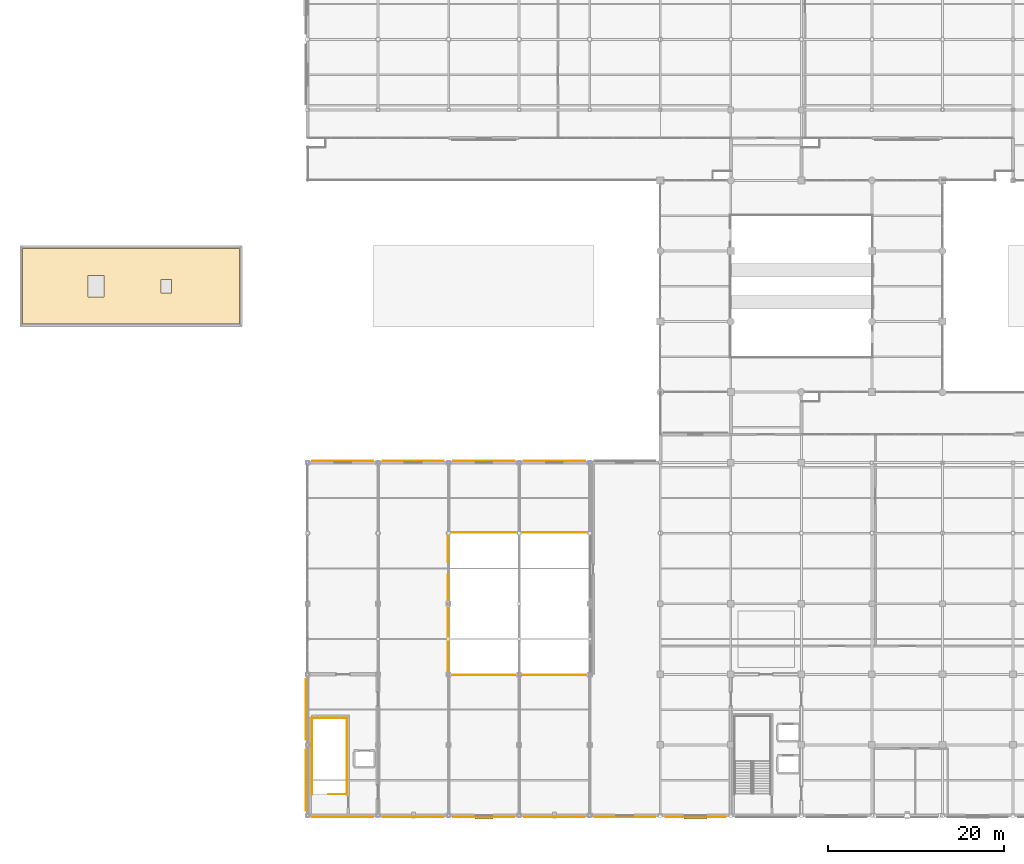
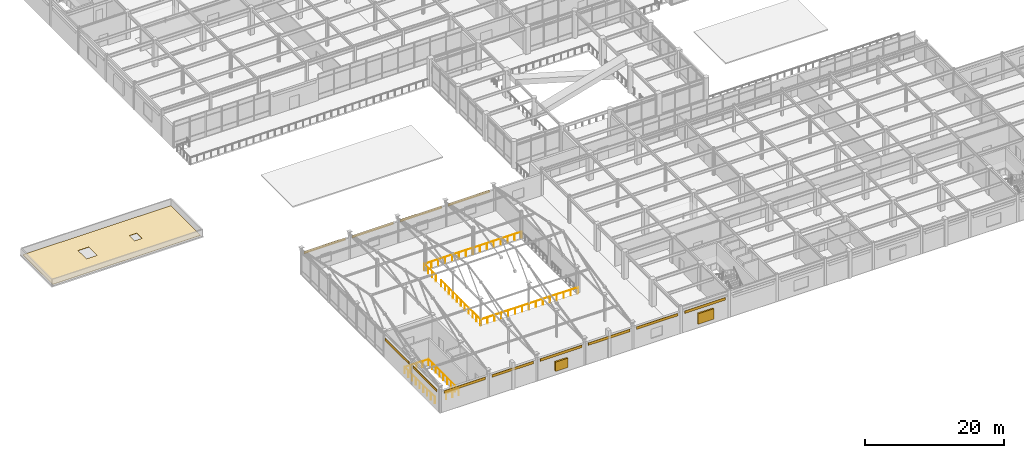
# One storey, part 105 of 117: 13 coverings, 8 railings, 2 shading devices.
"""IFC4 building model written with IfcOpenShell, lengths in metres."""

from ifc_helpers import new_model, si_unit, direction, frame, origin, origin_2d, place, context, subcontext, project, spatial, polyline, rectangle, circle, outline, extrude, material, layer, layer_set, type_object, element, save


model = new_model("IFC4")

# Units and contexts
model_context = context("Model", 3, precision=1e-05, world=origin(), true_north=direction((0.0, 1.0)))
body_context = subcontext(model_context, "Body", "Model", "MODEL_VIEW")
ifc_project = project(units=[si_unit("LENGTHUNIT", "METRE"), si_unit("AREAUNIT", "SQUARE_METRE"), si_unit("VOLUMEUNIT", "CUBIC_METRE"), si_unit("PLANEANGLEUNIT", "RADIAN"), si_unit("MASSUNIT", "GRAM", prefix="KILO")], contexts=[model_context])

# Site, building, storey
site_placement = place(None, origin())
site = spatial("IfcSite", under=ifc_project, at=site_placement, CompositionType="ELEMENT")
building_placement = place(site_placement, origin())
building = spatial("IfcBuilding", under=site, at=building_placement, Name="Solmirada Galleria", CompositionType="ELEMENT")
storey_placement = place(building_placement, frame((0.0, 0.0, 5.60009765625)))
storey = spatial("IfcBuildingStorey", under=building, at=storey_placement, Name="L01", CompositionType="ELEMENT", Elevation=5.60009765625)

# Coverings
ifc_material_1 = material(Name="Limestone cladding panels", Category="masonry")
ifc_layer_1 = layer(ifc_material_1, 0.044921875)
ifc_layer_set_1 = layer_set([ifc_layer_1], Name="Limestone cladding panels")
covering_type_1 = type_object("IfcCoveringType", Name="COV-CLAD-LIME", PredefinedType="CLADDING", material=ifc_layer_set_1)
covering_1_placement = place(storey_placement, frame((84.0, -0.1923828125, 3.2900390625), z_axis=(0.0, 0.0, 1.0), x_axis=(-1.0, 0.0, 0.0)))
element("IfcCovering", 1, at=covering_1_placement, inside=storey, type_object=covering_type_1, Name="Postmodern facade cladding L01-110", PredefinedType="CLADDING", context=body_context, shape_type="SweptSolid", body=[
    extrude(rectangle(XDim=6.7939453125, YDim=0.044921875, at=origin_2d()), origin(), (0.0, 0.0, 1.0), 0.4599609375),
])
covering_2_placement = place(storey_placement, frame((76.0, -0.1923828125, 3.2900390625), z_axis=(0.0, 0.0, 1.0), x_axis=(-1.0, 0.0, 0.0)))
element("IfcCovering", 2, at=covering_2_placement, inside=storey, type_object=covering_type_1, Name="Postmodern facade cladding L01-111", PredefinedType="CLADDING", context=body_context, shape_type="SweptSolid", body=[
    extrude(rectangle(XDim=6.844482421875, YDim=0.044921875, at=origin_2d()), origin(), (0.0, 0.0, 1.0), 0.4599609375),
])
for number, where, z_axis, x_axis, name in (
    (3, (68.0, -0.1923828125, 3.2900390625), (0.0, 0.0, 1.0), (-1.0, 0.0, 0.0), "Postmodern facade cladding L01-112"),
    (4, (60.0, -0.1923828125, 3.2900390625), (0.0, 0.0, 1.0), (-1.0, 0.0, 0.0), "Postmodern facade cladding L01-113"),
    (5, (52.0, -0.1923828125, 3.2900390625), (0.0, 0.0, 1.0), (-1.0, 0.0, 0.0), "Postmodern facade cladding L01-114"),
    (6, (44.0, -0.1923828125, 3.2900390625), (0.0, 0.0, 1.0), (-1.0, 0.0, 0.0), "Postmodern facade cladding L01-115"),
    (7, (39.8076171875, 4.0, 3.2900390625), (0.0, 0.0, 1.0), (0.0, 1.0, 0.0), "Postmodern facade cladding L01-116"),
    (8, (39.8076171875, 12.0, 3.2900390625), (0.0, 0.0, 1.0), (0.0, 1.0, 0.0), "Postmodern facade cladding L01-117"),
):
    element("IfcCovering", number, at=place(storey_placement, frame(where, z_axis=z_axis, x_axis=x_axis)), inside=storey, type_object=covering_type_1, Name=name, PredefinedType="CLADDING", context=body_context, shape_type="SweptSolid", body=[
        extrude(rectangle(XDim=6.89501953125, YDim=0.044921875, at=origin_2d()), origin(), (0.0, 0.0, 1.0), 0.4599609375),
    ])
covering_3_placement = place(storey_placement, frame((44.0, 40.1923828125, 3.2900390625), z_axis=(0.0, 0.0, 1.0), x_axis=(1.0, 0.0, 0.0)))
element("IfcCovering", 9, at=covering_3_placement, inside=storey, type_object=covering_type_1, Name="Postmodern facade cladding L01-118", PredefinedType="CLADDING", context=body_context, shape_type="SweptSolid", body=[
    extrude(rectangle(XDim=6.92041015625, YDim=0.044921875, at=origin_2d()), origin(), (0.0, 0.0, 1.0), 0.4599609375),
])
for number, where, z_axis, x_axis, name in (
    (10, (52.0, 40.1923828125, 3.2900390625), (0.0, 0.0, 1.0), (1.0, 0.0, 0.0), "Postmodern facade cladding L01-119"),
    (11, (60.0, 40.1923828125, 3.2900390625), (0.0, 0.0, 1.0), (1.0, 0.0, 0.0), "Postmodern facade cladding L01-120"),
    (12, (68.0, 40.1923828125, 3.2900390625), (0.0, 0.0, 1.0), (1.0, 0.0, 0.0), "Postmodern facade cladding L01-121"),
):
    element("IfcCovering", number, at=place(storey_placement, frame(where, z_axis=z_axis, x_axis=x_axis)), inside=storey, type_object=covering_type_1, Name=name, PredefinedType="CLADDING", context=body_context, shape_type="SweptSolid", body=[
        extrude(rectangle(XDim=6.946044921875, YDim=0.044921875, at=origin_2d()), origin(), (0.0, 0.0, 1.0), 0.4599609375),
    ])
ifc_material_2 = material(Name="Insulated TPO and standing-seam roofing membrane")
ifc_layer_2 = layer(ifc_material_2, 0.06005859375)
ifc_layer_set_2 = layer_set([ifc_layer_2], Name="Insulated TPO and standing-seam roofing membrane")
covering_type_2 = type_object("IfcCoveringType", Name="COV-ROOF-MEM", PredefinedType="ROOFING", material=ifc_layer_set_2)
covering_4_placement = place(storey_placement, origin())
element("IfcCovering", 13, at=covering_4_placement, inside=storey, type_object=covering_type_2, Name="Insulated roof membrane ROOF-WEST-PORTAL", PredefinedType="ROOFING", context=body_context, shape_type="SweptSolid", body=[
    extrude(outline(polyline([(7.699951171875, 55.699951171875), (32.300048828125, 55.699951171875), (32.300048828125, 64.300048828125), (7.699951171875, 64.300048828125), (7.699951171875, 55.699951171875)]), holes=[polyline([(15.10009765625, 58.800048828125), (16.89990234375, 58.800048828125), (16.89990234375, 61.199951171875), (15.10009765625, 61.199951171875), (15.10009765625, 58.800048828125)]), polyline([(23.39990234375, 59.25), (24.60009765625, 59.25), (24.60009765625, 60.75), (23.39990234375, 60.75), (23.39990234375, 59.25)])]), origin(), (0.0, 0.0, 1.0), 0.059814453125),
])

# Railings
ifc_material_3 = material(Name="Tempered laminated glass and stainless-steel balustrade", Category="steel")
railing_type_1 = type_object("IfcRailingType", Name="RAIL-ATRIUM-BAL", PredefinedType="BALUSTRADE", material=ifc_material_3)
railing_1_placement = place(storey_placement, frame((55.919921875, 15.919921875, 0.0)))
element("IfcRailing", 14, at=railing_1_placement, inside=storey, type_object=railing_type_1, Name="Void balustrade FOODHALL L01-W1", PredefinedType="BALUSTRADE", context=body_context, shape_type="SweptSolid", body=[
    extrude(circle(Radius=0.02392578125, at=origin_2d()), frame((0.0, 0.0, 1.09619140625), z_axis=(0.0, 1.0, 0.0), x_axis=(-1.0, 0.0, 0.0)), (0.0, 0.0, 1.0), 11.330078125),
    extrude(circle(Radius=0.02099609375, at=origin_2d()), origin(), (0.0, 0.0, 1.0), 1.068115234375),
    extrude(circle(Radius=0.02099609375, at=origin_2d()), frame((0.0, 1.133056640625, 0.0)), (0.0, 0.0, 1.0), 1.068115234375),
    extrude(circle(Radius=0.02099609375, at=origin_2d()), frame((0.0, 2.26611328125, 0.0)), (0.0, 0.0, 1.0), 1.068115234375),
    extrude(circle(Radius=0.02099609375, at=origin_2d()), frame((0.0, 3.39892578125, 0.0)), (0.0, 0.0, 1.0), 1.068115234375),
    extrude(circle(Radius=0.02099609375, at=origin_2d()), frame((0.0, 4.531982421875, 0.0)), (0.0, 0.0, 1.0), 1.068115234375),
    extrude(circle(Radius=0.02099609375, at=origin_2d()), frame((0.0, 5.6650390625, 0.0)), (0.0, 0.0, 1.0), 1.068115234375),
    extrude(circle(Radius=0.02099609375, at=origin_2d()), frame((0.0, 6.798095703125, 0.0)), (0.0, 0.0, 1.0), 1.068115234375),
    extrude(circle(Radius=0.02099609375, at=origin_2d()), frame((0.0, 7.93115234375, 0.0)), (0.0, 0.0, 1.0), 1.068115234375),
    extrude(circle(Radius=0.02099609375, at=origin_2d()), frame((0.0, 9.06396484375, 0.0)), (0.0, 0.0, 1.0), 1.068115234375),
    extrude(circle(Radius=0.02099609375, at=origin_2d()), frame((0.0, 10.197021484375, 0.0)), (0.0, 0.0, 1.0), 1.068115234375),
    extrude(circle(Radius=0.02099609375, at=origin_2d()), frame((0.0, 11.330078125, 0.0)), (0.0, 0.0, 1.0), 1.068115234375),
])
railing_2_placement = place(storey_placement, frame((55.919921875, 28.75, 0.0)))
element("IfcRailing", 15, at=railing_2_placement, inside=storey, type_object=railing_type_1, Name="Void balustrade FOODHALL L01-W2", PredefinedType="BALUSTRADE", context=body_context, shape_type="SweptSolid", body=[
    extrude(circle(Radius=0.02392578125, at=origin_2d()), frame((0.0, 0.0, 1.09619140625), z_axis=(0.0, 1.0, 0.0), x_axis=(-1.0, 0.0, 0.0)), (0.0, 0.0, 1.0), 3.330078125),
    extrude(circle(Radius=0.02099609375, at=origin_2d()), origin(), (0.0, 0.0, 1.0), 1.068115234375),
    extrude(circle(Radius=0.02099609375, at=origin_2d()), frame((0.0, 1.110107421875, 0.0)), (0.0, 0.0, 1.0), 1.068115234375),
    extrude(circle(Radius=0.02099609375, at=origin_2d()), frame((0.0, 2.219970703125, 0.0)), (0.0, 0.0, 1.0), 1.068115234375),
    extrude(circle(Radius=0.02099609375, at=origin_2d()), frame((0.0, 3.330078125, 0.0)), (0.0, 0.0, 1.0), 1.068115234375),
])
railing_3_placement = place(storey_placement, frame((55.919921875, 15.919921875, 0.0)))
element("IfcRailing", 16, at=railing_3_placement, inside=storey, type_object=railing_type_1, Name="Void balustrade FOODHALL L01-S", PredefinedType="BALUSTRADE", context=body_context, shape_type="SweptSolid", body=[
    extrude(circle(Radius=0.02392578125, at=origin_2d()), frame((0.0, 0.0, 1.09619140625), z_axis=(1.0, 0.0, 0.0), x_axis=(0.0, 1.0, 0.0)), (0.0, 0.0, 1.0), 16.16015625),
    extrude(circle(Radius=0.02099609375, at=origin_2d()), origin(), (0.0, 0.0, 1.0), 1.068115234375),
    extrude(circle(Radius=0.02099609375, at=origin_2d()), frame((1.154296875, 0.0, 0.0)), (0.0, 0.0, 1.0), 1.068115234375),
    extrude(circle(Radius=0.02099609375, at=origin_2d()), frame((2.30859375, 0.0, 0.0)), (0.0, 0.0, 1.0), 1.068115234375),
    extrude(circle(Radius=0.02099609375, at=origin_2d()), frame((3.462890625, 0.0, 0.0)), (0.0, 0.0, 1.0), 1.068115234375),
    extrude(circle(Radius=0.02099609375, at=origin_2d()), frame((4.6171875, 0.0, 0.0)), (0.0, 0.0, 1.0), 1.068115234375),
    extrude(circle(Radius=0.02099609375, at=origin_2d()), frame((5.771484375, 0.0, 0.0)), (0.0, 0.0, 1.0), 1.068115234375),
    extrude(circle(Radius=0.02099609375, at=origin_2d()), frame((6.92578125, 0.0, 0.0)), (0.0, 0.0, 1.0), 1.068115234375),
    extrude(circle(Radius=0.02099609375, at=origin_2d()), frame((8.080078125, 0.0, 0.0)), (0.0, 0.0, 1.0), 1.068115234375),
    extrude(circle(Radius=0.02099609375, at=origin_2d()), frame((9.234375, 0.0, 0.0)), (0.0, 0.0, 1.0), 1.068115234375),
    extrude(circle(Radius=0.02099609375, at=origin_2d()), frame((10.388671875, 0.0, 0.0)), (0.0, 0.0, 1.0), 1.068115234375),
    extrude(circle(Radius=0.02099609375, at=origin_2d()), frame((11.54296875, 0.0, 0.0)), (0.0, 0.0, 1.0), 1.068115234375),
    extrude(circle(Radius=0.02099609375, at=origin_2d()), frame((12.697265625, 0.0, 0.0)), (0.0, 0.0, 1.0), 1.068115234375),
    extrude(circle(Radius=0.02099609375, at=origin_2d()), frame((13.8515625, 0.0, 0.0)), (0.0, 0.0, 1.0), 1.068115234375),
    extrude(circle(Radius=0.02099609375, at=origin_2d()), frame((15.005859375, 0.0, 0.0)), (0.0, 0.0, 1.0), 1.068115234375),
    extrude(circle(Radius=0.02099609375, at=origin_2d()), frame((16.16015625, 0.0, 0.0)), (0.0, 0.0, 1.0), 1.068115234375),
])
railing_4_placement = place(storey_placement, frame((55.919921875, 32.080078125, 0.0)))
element("IfcRailing", 17, at=railing_4_placement, inside=storey, type_object=railing_type_1, Name="Void balustrade FOODHALL L01-N", PredefinedType="BALUSTRADE", context=body_context, shape_type="SweptSolid", body=[
    extrude(circle(Radius=0.02392578125, at=origin_2d()), frame((0.0, 0.0, 1.09619140625), z_axis=(1.0, 0.0, 0.0), x_axis=(0.0, 1.0, 0.0)), (0.0, 0.0, 1.0), 16.16015625),
    extrude(circle(Radius=0.02099609375, at=origin_2d()), origin(), (0.0, 0.0, 1.0), 1.068115234375),
    extrude(circle(Radius=0.02099609375, at=origin_2d()), frame((1.154296875, 0.0, 0.0)), (0.0, 0.0, 1.0), 1.068115234375),
    extrude(circle(Radius=0.02099609375, at=origin_2d()), frame((2.30859375, 0.0, 0.0)), (0.0, 0.0, 1.0), 1.068115234375),
    extrude(circle(Radius=0.02099609375, at=origin_2d()), frame((3.462890625, 0.0, 0.0)), (0.0, 0.0, 1.0), 1.068115234375),
    extrude(circle(Radius=0.02099609375, at=origin_2d()), frame((4.6171875, 0.0, 0.0)), (0.0, 0.0, 1.0), 1.068115234375),
    extrude(circle(Radius=0.02099609375, at=origin_2d()), frame((5.771484375, 0.0, 0.0)), (0.0, 0.0, 1.0), 1.068115234375),
    extrude(circle(Radius=0.02099609375, at=origin_2d()), frame((6.92578125, 0.0, 0.0)), (0.0, 0.0, 1.0), 1.068115234375),
    extrude(circle(Radius=0.02099609375, at=origin_2d()), frame((8.080078125, 0.0, 0.0)), (0.0, 0.0, 1.0), 1.068115234375),
    extrude(circle(Radius=0.02099609375, at=origin_2d()), frame((9.234375, 0.0, 0.0)), (0.0, 0.0, 1.0), 1.068115234375),
    extrude(circle(Radius=0.02099609375, at=origin_2d()), frame((10.388671875, 0.0, 0.0)), (0.0, 0.0, 1.0), 1.068115234375),
    extrude(circle(Radius=0.02099609375, at=origin_2d()), frame((11.54296875, 0.0, 0.0)), (0.0, 0.0, 1.0), 1.068115234375),
    extrude(circle(Radius=0.02099609375, at=origin_2d()), frame((12.697265625, 0.0, 0.0)), (0.0, 0.0, 1.0), 1.068115234375),
    extrude(circle(Radius=0.02099609375, at=origin_2d()), frame((13.8515625, 0.0, 0.0)), (0.0, 0.0, 1.0), 1.068115234375),
    extrude(circle(Radius=0.02099609375, at=origin_2d()), frame((15.005859375, 0.0, 0.0)), (0.0, 0.0, 1.0), 1.068115234375),
    extrude(circle(Radius=0.02099609375, at=origin_2d()), frame((16.16015625, 0.0, 0.0)), (0.0, 0.0, 1.0), 1.068115234375),
])
ifc_material_4 = material(Name="Painted steel tubular railing", Category="steel")
railing_type_2 = type_object("IfcRailingType", Name="RAIL-STAIR-GUARD", PredefinedType="GUARDRAIL", material=ifc_material_4)
railing_5_placement = place(storey_placement, frame((44.5, 2.39990234375, 0.0)))
element("IfcRailing", 18, at=railing_5_placement, inside=storey, type_object=railing_type_2, Name="L01 ST5 top well guard 1", PredefinedType="GUARDRAIL", context=body_context, shape_type="SweptSolid", body=[
    extrude(circle(Radius=0.02392578125, at=origin_2d()), frame((0.0, 0.0, 1.076171875), z_axis=(-1.0, 0.0, 0.0), x_axis=(0.0, -1.0, 0.0)), (0.0, 0.0, 1.0), 2.10009765625),
    extrude(circle(Radius=0.02099609375, at=origin_2d()), origin(), (0.0, 0.0, 1.0), 1.048095703125),
    extrude(circle(Radius=0.02099609375, at=origin_2d()), frame((-1.050048828125, 0.0, 0.0)), (0.0, 0.0, 1.0), 1.048095703125),
    extrude(circle(Radius=0.02099609375, at=origin_2d()), frame((-2.10009765625, 0.0, 0.0)), (0.0, 0.0, 1.0), 1.048095703125),
])
railing_6_placement = place(storey_placement, frame((40.489990234375, 2.35009765625, 0.0)))
element("IfcRailing", 19, at=railing_6_placement, inside=storey, type_object=railing_type_2, Name="Stair ST5 well edge guard L01-1", PredefinedType="GUARDRAIL", context=body_context, shape_type="SweptSolid", body=[
    extrude(circle(Radius=0.02392578125, at=origin_2d()), frame((0.0, 0.0, 1.09619140625), z_axis=(0.0, 1.0, 0.0), x_axis=(-1.0, 0.0, 0.0)), (0.0, 0.0, 1.0), 8.7099609375),
    extrude(circle(Radius=0.02099609375, at=origin_2d()), origin(), (0.0, 0.0, 1.0), 1.068115234375),
    extrude(circle(Radius=0.02099609375, at=origin_2d()), frame((0.0, 1.0888671875, 0.0)), (0.0, 0.0, 1.0), 1.068115234375),
    extrude(circle(Radius=0.02099609375, at=origin_2d()), frame((0.0, 2.177490234375, 0.0)), (0.0, 0.0, 1.0), 1.068115234375),
    extrude(circle(Radius=0.02099609375, at=origin_2d()), frame((0.0, 3.26611328125, 0.0)), (0.0, 0.0, 1.0), 1.068115234375),
    extrude(circle(Radius=0.02099609375, at=origin_2d()), frame((0.0, 4.35498046875, 0.0)), (0.0, 0.0, 1.0), 1.068115234375),
    extrude(circle(Radius=0.02099609375, at=origin_2d()), frame((0.0, 5.44384765625, 0.0)), (0.0, 0.0, 1.0), 1.068115234375),
    extrude(circle(Radius=0.02099609375, at=origin_2d()), frame((0.0, 6.532470703125, 0.0)), (0.0, 0.0, 1.0), 1.068115234375),
    extrude(circle(Radius=0.02099609375, at=origin_2d()), frame((0.0, 7.62109375, 0.0)), (0.0, 0.0, 1.0), 1.068115234375),
    extrude(circle(Radius=0.02099609375, at=origin_2d()), frame((0.0, 8.7099609375, 0.0)), (0.0, 0.0, 1.0), 1.068115234375),
])
railing_7_placement = place(storey_placement, frame((40.489990234375, 11.06005859375, 0.0)))
element("IfcRailing", 20, at=railing_7_placement, inside=storey, type_object=railing_type_2, Name="Stair ST5 well edge guard L01-2", PredefinedType="GUARDRAIL", context=body_context, shape_type="SweptSolid", body=[
    extrude(circle(Radius=0.02392578125, at=origin_2d()), frame((0.0, 0.0, 1.09619140625), z_axis=(1.0, 0.0, 0.0), x_axis=(0.0, 1.0, 0.0)), (0.0, 0.0, 1.0), 3.969970703125),
    extrude(circle(Radius=0.02099609375, at=origin_2d()), origin(), (0.0, 0.0, 1.0), 1.068115234375),
    extrude(circle(Radius=0.02099609375, at=origin_2d()), frame((0.992431640625, 0.0, 0.0)), (0.0, 0.0, 1.0), 1.068115234375),
    extrude(circle(Radius=0.02099609375, at=origin_2d()), frame((1.98486328125, 0.0, 0.0)), (0.0, 0.0, 1.0), 1.068115234375),
    extrude(circle(Radius=0.02099609375, at=origin_2d()), frame((2.9775390625, 0.0, 0.0)), (0.0, 0.0, 1.0), 1.068115234375),
    extrude(circle(Radius=0.02099609375, at=origin_2d()), frame((3.969970703125, 0.0, 0.0)), (0.0, 0.0, 1.0), 1.068115234375),
])
railing_8_placement = place(storey_placement, frame((44.4599609375, 11.06005859375, 0.0)))
element("IfcRailing", 21, at=railing_8_placement, inside=storey, type_object=railing_type_2, Name="Stair ST5 well edge guard L01-3", PredefinedType="GUARDRAIL", context=body_context, shape_type="SweptSolid", body=[
    extrude(circle(Radius=0.02392578125, at=origin_2d()), frame((0.0, 0.0, 1.09619140625), z_axis=(0.0, -1.0, 0.0), x_axis=(1.0, 0.0, 0.0)), (0.0, 0.0, 1.0), 8.7099609375),
    extrude(circle(Radius=0.02099609375, at=origin_2d()), origin(), (0.0, 0.0, 1.0), 1.068115234375),
    extrude(circle(Radius=0.02099609375, at=origin_2d()), frame((0.0, -1.0888671875, 0.0)), (0.0, 0.0, 1.0), 1.068115234375),
    extrude(circle(Radius=0.02099609375, at=origin_2d()), frame((0.0, -2.177490234375, 0.0)), (0.0, 0.0, 1.0), 1.068115234375),
    extrude(circle(Radius=0.02099609375, at=origin_2d()), frame((0.0, -3.26611328125, 0.0)), (0.0, 0.0, 1.0), 1.068115234375),
    extrude(circle(Radius=0.02099609375, at=origin_2d()), frame((0.0, -4.35498046875, 0.0)), (0.0, 0.0, 1.0), 1.068115234375),
    extrude(circle(Radius=0.02099609375, at=origin_2d()), frame((0.0, -5.44384765625, 0.0)), (0.0, 0.0, 1.0), 1.068115234375),
    extrude(circle(Radius=0.02099609375, at=origin_2d()), frame((0.0, -6.532470703125, 0.0)), (0.0, 0.0, 1.0), 1.068115234375),
    extrude(circle(Radius=0.02099609375, at=origin_2d()), frame((0.0, -7.62109375, 0.0)), (0.0, 0.0, 1.0), 1.068115234375),
    extrude(circle(Radius=0.02099609375, at=origin_2d()), frame((0.0, -8.7099609375, 0.0)), (0.0, 0.0, 1.0), 1.068115234375),
])

# Shading devices
ifc_material_5 = material(Name="Extruded aluminium storm louvres", Category="aluminium")
shading_device_type = type_object("IfcShadingDeviceType", Name="SHD-JALOUSIE", PredefinedType="JALOUSIE", material=ifc_material_5)
shading_device_1_placement = place(storey_placement, frame((84.0, -0.300048828125, 0.7998046875), z_axis=(0.0, 0.0, 1.0), x_axis=(-1.0, 0.0, 0.0)))
element("IfcShadingDevice", 22, at=shading_device_1_placement, inside=storey, type_object=shading_device_type, Name="Hurricane storm jalousie louvre 047", PredefinedType="JALOUSIE", context=body_context, shape_type="SweptSolid", body=[
    extrude(rectangle(XDim=2.610107421875, YDim=0.260009765625, at=origin_2d()), origin(), (0.0, 0.0, 1.0), 1.85009765625),
])
shading_device_2_placement = place(storey_placement, frame((60.0, -0.300048828125, 0.800048828125), z_axis=(0.0, 0.0, 1.0), x_axis=(-1.0, 0.0, 0.0)))
element("IfcShadingDevice", 23, at=shading_device_2_placement, inside=storey, type_object=shading_device_type, Name="Hurricane storm jalousie louvre 048", PredefinedType="JALOUSIE", context=body_context, shape_type="SweptSolid", body=[
    extrude(rectangle(XDim=2.06005859375, YDim=0.260009765625, at=origin_2d()), origin(), (0.0, 0.0, 1.0), 1.64990234375),
])

save(model, "model.ifc")
